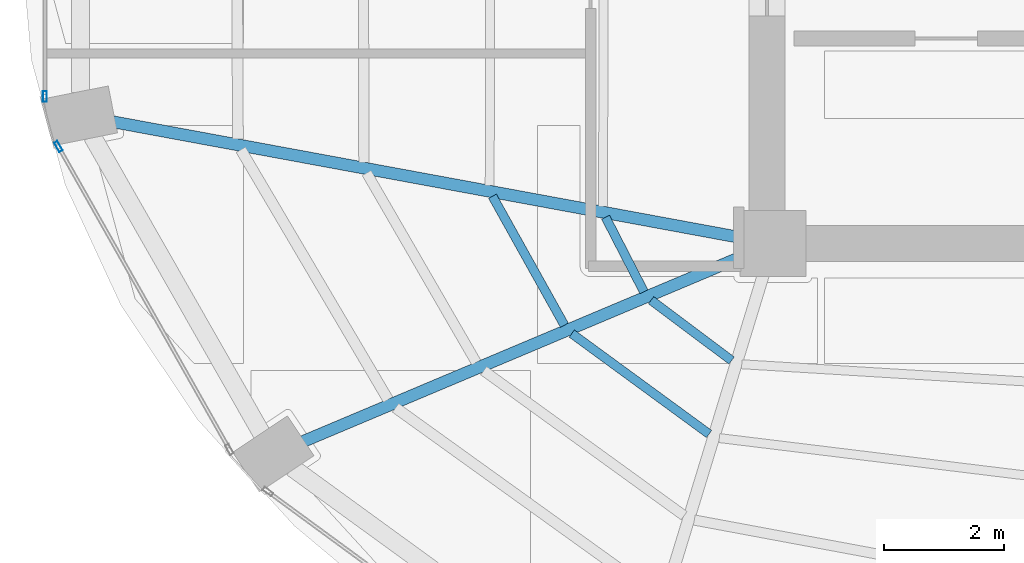
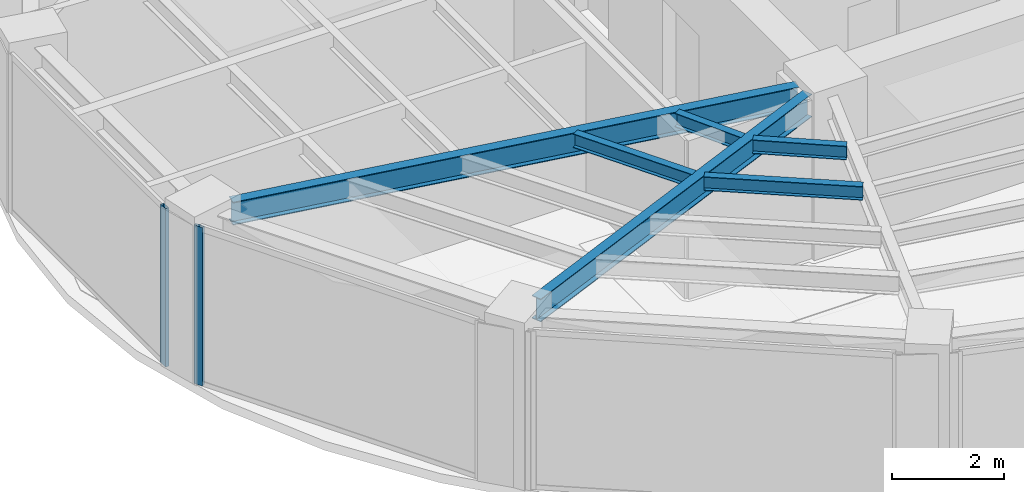
# One storey, part 4 of 23: 6 beams, 2 members, 2 elements without a shape of their own.
"""IFC4 building model written with IfcOpenShell, lengths in metres."""

from ifc_helpers import new_model, si_unit, direction, frame, origin, origin_2d, place, context, subcontext, project, spatial, hollow_rectangle, i_section, extrude, material, layer, layer_set, material_profile, profile_set, type_object, element, aggregate, save


model = new_model("IFC4")

# Units and contexts
model_context = context("Model", 3, precision=1e-05, world=origin(), true_north=direction((0.0, 1.0)))
body_context = subcontext(model_context, "Body", "Model", "MODEL_VIEW")
ifc_project = project(units=[si_unit("LENGTHUNIT", "METRE"), si_unit("AREAUNIT", "SQUARE_METRE"), si_unit("VOLUMEUNIT", "CUBIC_METRE"), si_unit("PLANEANGLEUNIT", "RADIAN"), si_unit("MASSUNIT", "GRAM", prefix="KILO")], contexts=[model_context])

# Site, building, storey
site_placement = place(None, origin())
site = spatial("IfcSite", under=ifc_project, at=site_placement, CompositionType="ELEMENT")
building_placement = place(site_placement, origin())
building = spatial("IfcBuilding", under=site, at=building_placement, Name="Lazwardi Medical Tower", CompositionType="ELEMENT")
storey_placement = place(building_placement, frame((0.0, 0.0, 213.072021484375)))
storey = spatial("IfcBuildingStorey", under=building, at=storey_placement, Name="L55", CompositionType="ELEMENT", Elevation=213.072021484375)

# Beams
ifc_material_1 = material(Name="Steel S355", Category="steel")
ifc_material_profile_1 = material_profile(ifc_material_1, i_section(OverallWidth=0.199951171875, OverallDepth=0.5, WebThickness=0.01025390625, FlangeThickness=0.01611328125, at=origin_2d()), Name="IPE 500")
ifc_profile_set_1 = profile_set([ifc_material_profile_1], Name="Steel S355")
beam_type_1 = type_object("IfcBeamType", Name="BM-RG-W3", PredefinedType="BEAM", material=ifc_profile_set_1)
beam_1_placement = place(storey_placement, frame((15.341064453125, 22.43994140625, 3.197998046875), z_axis=(0.983409341459, -0.181400295288, 0.0), x_axis=(0.181400295288, 0.983409341459, 0.0)))
element("IfcBeam", 1, at=beam_1_placement, inside=storey, type_object=beam_type_1, Name="Radial girder RG-04 R13 L55", PredefinedType="BEAM", context=body_context, shape_type="SweptSolid", body=[
    extrude(i_section(OverallWidth=0.199951171875, OverallDepth=0.5, WebThickness=0.01025390625, FlangeThickness=0.01611328125, at=origin_2d()), origin(), (0.0, 0.0, 1.0), 10.71044921875),
])
beam_2_placement = place(storey_placement, frame((18.533203125, 17.085205078125, 3.197998046875), z_axis=(0.921526791352, 0.388314785735, 0.0), x_axis=(-0.388314785735, 0.921526791352, 0.0)))
element("IfcBeam", 2, at=beam_2_placement, inside=storey, type_object=beam_type_1, Name="Radial girder RG-04 R14 L55", PredefinedType="BEAM", context=body_context, shape_type="SweptSolid", body=[
    extrude(i_section(OverallWidth=0.199951171875, OverallDepth=0.5, WebThickness=0.01025390625, FlangeThickness=0.01611328125, at=origin_2d()), origin(), (0.0, 0.0, 1.0), 8.001708984375),
])
ifc_material_profile_2 = material_profile(ifc_material_1, i_section(OverallWidth=0.14990234375, OverallDepth=0.300048828125, WebThickness=0.007080078125, FlangeThickness=0.0107421875, at=origin_2d()), Name="IPE 300")
ifc_profile_set_2 = profile_set([ifc_material_profile_2], Name="Steel S355")
beam_type_2 = type_object("IfcBeamType", Name="BM-SJ-03", PredefinedType="JOIST", material=ifc_profile_set_2)
beam_3_placement = place(storey_placement, frame((21.70703125, 21.19140625, 3.298095703125), z_axis=(0.487092942089, -0.873350139272, 0.0), x_axis=(0.873350139272, 0.487092942089, 0.0)))
element("IfcBeam", 3, at=beam_3_placement, inside=storey, type_object=beam_type_2, Name="Secondary joist SJ-03 R3 B13 L55", PredefinedType="JOIST", context=body_context, shape_type="SweptSolid", body=[
    extrude(i_section(OverallWidth=0.14990234375, OverallDepth=0.300048828125, WebThickness=0.007080078125, FlangeThickness=0.0107421875, at=origin_2d()), origin(), (0.0, 0.0, 1.0), 2.471923828125),
])
beam_4_placement = place(storey_placement, frame((23.0341796875, 18.893310546875, 3.298095703125), z_axis=(0.80703431267, -0.59050454543, 0.0), x_axis=(0.59050454543, 0.80703431267, 0.0)))
element("IfcBeam", 4, at=beam_4_placement, inside=storey, type_object=beam_type_2, Name="Secondary joist SJ-03 R3 B14 L55", PredefinedType="JOIST", context=body_context, shape_type="SweptSolid", body=[
    extrude(i_section(OverallWidth=0.14990234375, OverallDepth=0.300048828125, WebThickness=0.007080078125, FlangeThickness=0.0107421875, at=origin_2d()), origin(), (0.0, 0.0, 1.0), 2.846923828125),
])
beam_5_placement = place(storey_placement, frame((23.60009765625, 20.840087890625, 3.298095703125), z_axis=(0.457285056668, -0.889320176848, 0.0), x_axis=(0.889320176848, 0.457285056668, 0.0)))
element("IfcBeam", 5, at=beam_5_placement, inside=storey, type_object=beam_type_2, Name="Secondary joist SJ-03 R4 B13 L55", PredefinedType="JOIST", context=body_context, shape_type="SweptSolid", body=[
    extrude(i_section(OverallWidth=0.14990234375, OverallDepth=0.300048828125, WebThickness=0.007080078125, FlangeThickness=0.0107421875, at=origin_2d()), origin(), (0.0, 0.0, 1.0), 1.402099609375),
])
beam_6_placement = place(storey_placement, frame((24.36083984375, 19.451904296875, 3.298095703125), z_axis=(0.800365301971, -0.599512621553, 0.0), x_axis=(0.599512621553, 0.800365301971, 0.0)))
element("IfcBeam", 6, at=beam_6_placement, inside=storey, type_object=beam_type_2, Name="Secondary joist SJ-03 R4 B14 L55", PredefinedType="JOIST", context=body_context, shape_type="SweptSolid", body=[
    extrude(i_section(OverallWidth=0.14990234375, OverallDepth=0.300048828125, WebThickness=0.007080078125, FlangeThickness=0.0107421875, at=origin_2d()), origin(), (0.0, 0.0, 1.0), 1.68359375),
])

# Curtain wall, member
ifc_material_2 = material(Name="Anodised bronze aluminium and solar control glazing", Category="aluminium")
ifc_layer = layer(ifc_material_2, 0.18994140625)
ifc_layer_set = layer_set([ifc_layer], Name="Anodised bronze aluminium and solar control glazing")
curtain_wall_type = type_object("IfcCurtainWallType", Name="CW-SYS-04", PredefinedType="NOTDEFINED", material=ifc_layer_set)
curtain_wall_1_placement = place(storey_placement, origin())
curtain_wall_1 = element("IfcCurtainWall", 7, at=curtain_wall_1_placement, inside=storey, type_object=curtain_wall_type, Name="L55 Unitised bronze curtain wall CW-04", PredefinedType="NOTDEFINED")
ifc_material_3 = material(Name="Anodised bronze aluminium", Category="aluminium")
ifc_material_profile_3 = material_profile(ifc_material_3, hollow_rectangle(XDim=0.06494140625, YDim=0.179931640625, WallThickness=0.00390625, at=origin_2d()), Name="ALU-MULLION 180x65x4")
ifc_profile_set_3 = profile_set([ifc_material_profile_3], Name="Anodised bronze aluminium")
member_type = type_object("IfcMemberType", Name="CW-MUL-03", PredefinedType="MULLION", material=ifc_profile_set_3)
member_1_placement = place(storey_placement, frame((14.2158203125, 22.859619140625, 0.0), z_axis=(0.0, 0.0, 1.0), x_axis=(1.0, 0.0, 0.0)))
member_1 = element("IfcMember", 8, at=member_1_placement, type_object=member_type, Name="CW-04 mullion 2", PredefinedType="MULLION", context=body_context, shape_type="SweptSolid", body=[
    extrude(hollow_rectangle(XDim=0.06494140625, YDim=0.179931640625, WallThickness=0.00390625, at=origin_2d()), origin(), (0.0, 0.0, 1.0), 3.447998046875),
])
aggregate(curtain_wall_1, [member_1])

curtain_wall_2_placement = place(storey_placement, origin())
curtain_wall_2 = element("IfcCurtainWall", 9, at=curtain_wall_2_placement, inside=storey, type_object=curtain_wall_type, Name="L55 Unitised bronze curtain wall CW-04", PredefinedType="NOTDEFINED")
member_2_placement = place(storey_placement, frame((14.442626953125, 22.021728515625, 0.0), z_axis=(0.0, 0.0, 1.0), x_axis=(0.870651436011, 0.491900474661, 0.0)))
member_2 = element("IfcMember", 10, at=member_2_placement, type_object=member_type, Name="CW-04 mullion 1", PredefinedType="MULLION", context=body_context, shape_type="SweptSolid", body=[
    extrude(hollow_rectangle(XDim=0.06494140625, YDim=0.179931640625, WallThickness=0.00390625, at=origin_2d()), origin(), (0.0, 0.0, 1.0), 3.447998046875),
])
aggregate(curtain_wall_2, [member_2])

save(model, "model.ifc")
